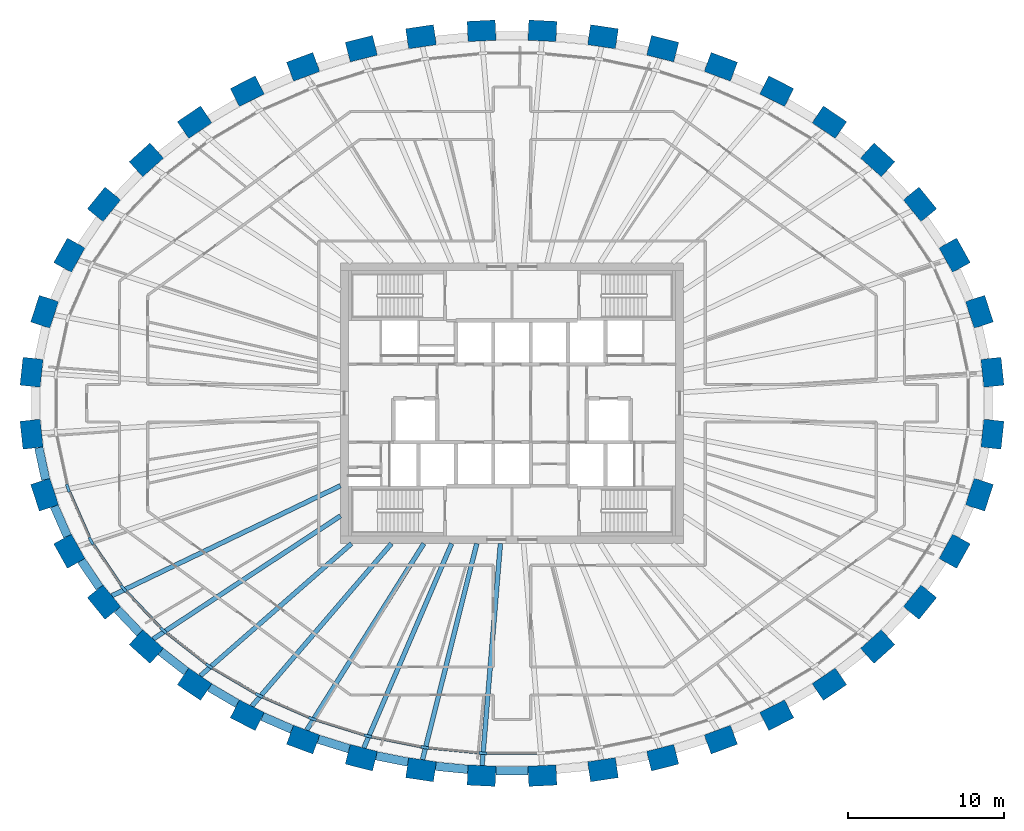
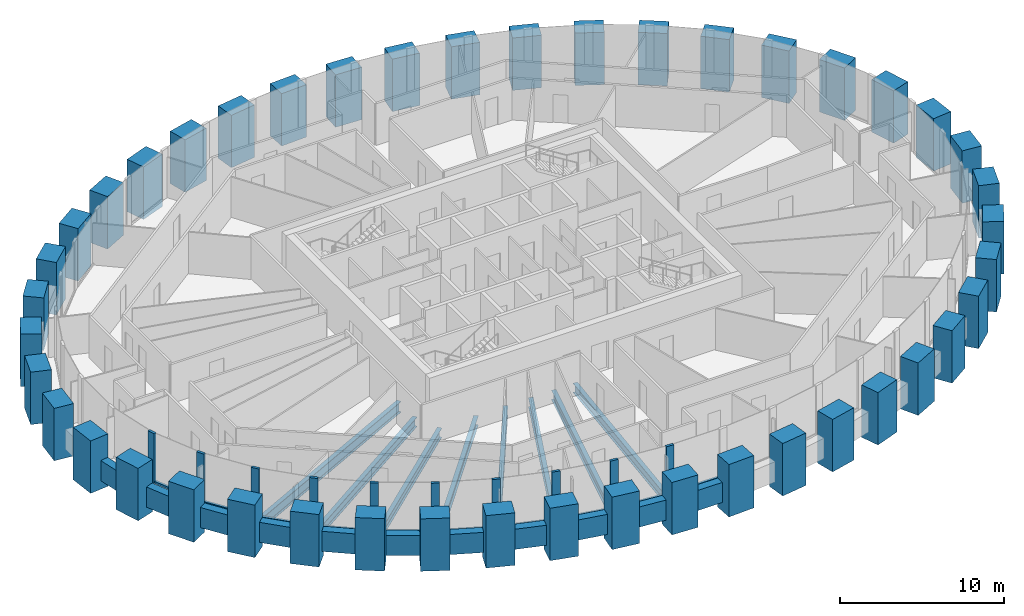
# One storey, part 1 of 12: 44 columns, 20 members, 19 beams, 1 element without a shape of its own.
"""IFC4 building model written with IfcOpenShell, lengths in metres."""

from ifc_helpers import new_model, si_unit, direction, frame, origin, origin_2d, place, context, subcontext, project, spatial, rectangle, i_section, extrude, source, transform, mapped, material, material_profile, profile_set, type_object, element, aggregate, save


model = new_model("IFC4")

# Units and contexts
model_context = context("Model", 3, precision=1e-05, world=origin(), true_north=direction((0.0, 1.0)))
body_context = subcontext(model_context, "Body", "Model", "MODEL_VIEW")
ifc_project = project(units=[si_unit("LENGTHUNIT", "METRE"), si_unit("AREAUNIT", "SQUARE_METRE"), si_unit("VOLUMEUNIT", "CUBIC_METRE"), si_unit("PLANEANGLEUNIT", "RADIAN"), si_unit("MASSUNIT", "GRAM", prefix="KILO")], contexts=[model_context])

# Site, building, storey
site_placement = place(None, origin())
site = spatial("IfcSite", under=ifc_project, at=site_placement, CompositionType="ELEMENT")
building_placement = place(site_placement, origin())
building = spatial("IfcBuilding", under=site, at=building_placement, Name="Embergate Tower", CompositionType="ELEMENT")
storey_placement = place(building_placement, frame((0.0, 0.0, 301.300048828125)))
storey = spatial("IfcBuildingStorey", under=building, at=storey_placement, Name="L70", CompositionType="ELEMENT", Elevation=301.300048828125)

# Columns
ifc_material_1 = material(Name="Concrete C50", Category="concrete")
ifc_material_profile_1 = material_profile(ifc_material_1, rectangle(XDim=1.300048828125, YDim=1.800048828125, at=origin_2d()), Name="RC 1300x1800")
ifc_profile_set_1 = profile_set([ifc_material_profile_1], Name="Concrete C50")
column_type = type_object("IfcColumnType", Name="Ring column RC 1300x1800 C50", PredefinedType="COLUMN", material=ifc_profile_set_1)
shared_shape_1 = source(origin(), body_context, "Body", "SweptSolid", [
    extrude(rectangle(XDim=1.300048828125, YDim=1.800048828125, at=origin_2d()), origin(), (0.0, 0.0, 1.0), 3.900146484375),
])
for number, where, z_axis, x_axis, name in (
    (1, (30.80908203125, 1.985107421875, -1.400146484375), (0.0, 0.0, 1.0), (0.99428589498, 0.106749983816, 0.0), "COL-L70-00"),
    (2, (29.97412109375, 5.864013671875, -1.400146484375), (0.0, 0.0, 1.0), (0.950754033697, 0.309946394413, 0.0), "COL-L70-01"),
    (3, (28.384033203125, 9.489990234375, -1.400146484375), (0.0, 0.0, 1.0), (0.873500465855, 0.486823311018, 0.0), "COL-L70-02"),
    (4, (26.1640625, 12.7548828125, -1.400146484375), (0.0, 0.0, 1.0), (0.775925311702, 0.630824786022, 0.0), "COL-L70-03"),
    (5, (23.447998046875, 15.60302734375, -1.400146484375), (0.0, 0.0, 1.0), (0.669221393633, 0.743063070206, 0.0), "COL-L70-04"),
    (6, (20.35302734375, 18.01904296875, -1.400146484375), (0.0, 0.0, 1.0), (0.560393279442, 0.828226643109, 0.0), "COL-L70-05"),
    (7, (16.97607421875, 20.0048828125, -1.400146484375), (0.0, 0.0, 1.0), (0.453010512651, 0.891505174089, 0.0), "COL-L70-06"),
    (8, (13.39208984375, 21.572021484375, -1.400146484375), (0.0, 0.0, 1.0), (0.348343015724, 0.93736713373, 0.0), "COL-L70-07"),
    (9, (9.662109375, 22.73388671875, -1.400146484375), (0.0, 0.0, 1.0), (0.24650851817, 0.969140624713, 0.0), "COL-L70-08"),
    (10, (5.833984375, 23.501953125, -1.400146484375), (0.0, 0.0, 1.0), (0.146929011949, 0.989147039346, 0.0), "COL-L70-09"),
    (11, (1.950927734375, 23.883056640625, -1.400146484375), (0.0, 0.0, 1.0), (0.048814904854, 0.998807841912, 0.0), "COL-L70-10"),
    (12, (-1.950927734375, 23.883056640625, -1.400146484375), (0.0, 0.0, 1.0), (-0.048814904854, 0.998807841912, 0.0), "COL-L70-11"),
    (13, (-5.833984375, 23.501953125, -1.400146484375), (0.0, 0.0, 1.0), (-0.146929011949, 0.989147039346, 0.0), "COL-L70-12"),
    (14, (-9.662109375, 22.73388671875, -1.400146484375), (0.0, 0.0, 1.0), (-0.24650851817, 0.969140624713, 0.0), "COL-L70-13"),
    (15, (-13.39208984375, 21.572021484375, -1.400146484375), (0.0, 0.0, 1.0), (-0.348343015724, 0.93736713373, 0.0), "COL-L70-14"),
    (16, (-16.97607421875, 20.0048828125, -1.400146484375), (0.0, 0.0, 1.0), (-0.453010512651, 0.891505174089, 0.0), "COL-L70-15"),
    (17, (-20.35302734375, 18.01904296875, -1.400146484375), (0.0, 0.0, 1.0), (-0.560393279442, 0.828226643109, 0.0), "COL-L70-16"),
    (18, (-23.447998046875, 15.60302734375, -1.400146484375), (0.0, 0.0, 1.0), (-0.669221393633, 0.743063070206, 0.0), "COL-L70-17"),
    (19, (-26.1640625, 12.7548828125, -1.400146484375), (0.0, 0.0, 1.0), (-0.775925311702, 0.630824786022, 0.0), "COL-L70-18"),
    (20, (-28.384033203125, 9.489990234375, -1.400146484375), (0.0, 0.0, 1.0), (-0.873500465855, 0.486823311018, 0.0), "COL-L70-19"),
    (21, (-29.97412109375, 5.864013671875, -1.400146484375), (0.0, 0.0, 1.0), (-0.950754033697, 0.309946394413, 0.0), "COL-L70-20"),
    (22, (-30.80908203125, 1.985107421875, -1.400146484375), (0.0, 0.0, 1.0), (-0.99428589498, 0.106749983816, 0.0), "COL-L70-21"),
    (23, (-30.80908203125, -1.985107421875, -1.400146484375), (0.0, 0.0, 1.0), (-0.99428589498, -0.106749983816, 0.0), "COL-L70-22"),
    (24, (-29.97412109375, -5.864013671875, -1.400146484375), (0.0, 0.0, 1.0), (-0.950754033697, -0.309946394413, 0.0), "COL-L70-23"),
    (25, (-28.384033203125, -9.489990234375, -1.400146484375), (0.0, 0.0, 1.0), (-0.873500465855, -0.486823311018, 0.0), "COL-L70-24"),
    (26, (-26.1640625, -12.7548828125, -1.400146484375), (0.0, 0.0, 1.0), (-0.775925311702, -0.630824786022, 0.0), "COL-L70-25"),
    (27, (-23.447998046875, -15.60302734375, -1.400146484375), (0.0, 0.0, 1.0), (-0.669221393633, -0.743063070206, 0.0), "COL-L70-26"),
    (28, (-20.35302734375, -18.01904296875, -1.400146484375), (0.0, 0.0, 1.0), (-0.560393279442, -0.828226643109, 0.0), "COL-L70-27"),
    (29, (-16.97607421875, -20.0048828125, -1.400146484375), (0.0, 0.0, 1.0), (-0.453010512651, -0.891505174089, 0.0), "COL-L70-28"),
    (30, (-13.39208984375, -21.572021484375, -1.400146484375), (0.0, 0.0, 1.0), (-0.348343015724, -0.93736713373, 0.0), "COL-L70-29"),
    (31, (-9.662109375, -22.73388671875, -1.400146484375), (0.0, 0.0, 1.0), (-0.24650851817, -0.969140624713, 0.0), "COL-L70-30"),
    (32, (-5.833984375, -23.501953125, -1.400146484375), (0.0, 0.0, 1.0), (-0.146929011949, -0.989147039346, 0.0), "COL-L70-31"),
    (33, (-1.950927734375, -23.883056640625, -1.400146484375), (0.0, 0.0, 1.0), (-0.048814904854, -0.998807841912, 0.0), "COL-L70-32"),
    (34, (1.950927734375, -23.883056640625, -1.400146484375), (0.0, 0.0, 1.0), (0.048814904854, -0.998807841912, 0.0), "COL-L70-33"),
    (35, (5.833984375, -23.501953125, -1.400146484375), (0.0, 0.0, 1.0), (0.146929011949, -0.989147039346, 0.0), "COL-L70-34"),
    (36, (9.662109375, -22.73388671875, -1.400146484375), (0.0, 0.0, 1.0), (0.24650851817, -0.969140624713, 0.0), "COL-L70-35"),
    (37, (13.39208984375, -21.572021484375, -1.400146484375), (0.0, 0.0, 1.0), (0.348343015724, -0.93736713373, 0.0), "COL-L70-36"),
    (38, (16.97607421875, -20.0048828125, -1.400146484375), (0.0, 0.0, 1.0), (0.453010512651, -0.891505174089, 0.0), "COL-L70-37"),
    (39, (20.35302734375, -18.01904296875, -1.400146484375), (0.0, 0.0, 1.0), (0.560393279442, -0.828226643109, 0.0), "COL-L70-38"),
    (40, (23.447998046875, -15.60302734375, -1.400146484375), (0.0, 0.0, 1.0), (0.669221393633, -0.743063070206, 0.0), "COL-L70-39"),
    (41, (26.1640625, -12.7548828125, -1.400146484375), (0.0, 0.0, 1.0), (0.775925311702, -0.630824786022, 0.0), "COL-L70-40"),
    (42, (28.384033203125, -9.489990234375, -1.400146484375), (0.0, 0.0, 1.0), (0.873500465855, -0.486823311018, 0.0), "COL-L70-41"),
    (43, (29.97412109375, -5.864013671875, -1.400146484375), (0.0, 0.0, 1.0), (0.950754033697, -0.309946394413, 0.0), "COL-L70-42"),
    (44, (30.80908203125, -1.985107421875, -1.400146484375), (0.0, 0.0, 1.0), (0.99428589498, -0.106749983816, 0.0), "COL-L70-43"),
):
    element("IfcColumn", number, at=place(storey_placement, frame(where, z_axis=z_axis, x_axis=x_axis)), inside=storey, type_object=column_type, Name=name, PredefinedType="COLUMN", context=body_context, shape_type="MappedRepresentation", body=[
        mapped(shared_shape_1, transform((0.0, 0.0, 0.0))),
    ])

# Beams
ifc_material_2 = material(Name="Steel Q355B", Category="steel")
ifc_material_profile_2 = material_profile(ifc_material_2, i_section(OverallWidth=0.300048828125, OverallDepth=0.699951171875, WebThickness=0.012939453125, FlangeThickness=0.02392578125, FilletRadius=0.01806640625, at=origin_2d()), Name="HN 700x300x13x24")
ifc_profile_set_2 = profile_set([ifc_material_profile_2], Name="Steel Q355 grade B")
beam_type_1 = type_object("IfcBeamType", Name="Radial girder HN 700x300x13x24", PredefinedType="BEAM", material=ifc_profile_set_2)
shared_shape_2 = source(origin(), body_context, "Body", "SweptSolid", [
    extrude(i_section(OverallWidth=0.300048828125, OverallDepth=0.699951171875, WebThickness=0.012939453125, FlangeThickness=0.02392578125, FilletRadius=0.01806640625, at=origin_2d()), origin(), (0.0, 0.0, 1.0), 13.742431640625),
])
beam_1_placement = place(storey_placement, frame((-16.681884765625, -19.426025390625, -0.550048828125), z_axis=(0.651474345674, 0.758670664339, 0.0), x_axis=(-0.758670664339, 0.651474345674, 0.0)))
element("IfcBeam", 45, at=beam_1_placement, inside=storey, type_object=beam_type_1, Name="GIR-L70-28", PredefinedType="BEAM", context=body_context, shape_type="MappedRepresentation", body=[
    mapped(shared_shape_2, transform((0.0, 0.0, 0.0))),
])
ifc_material_profile_3 = material_profile(ifc_material_1, rectangle(XDim=0.550048828125, YDim=1.5, at=origin_2d()), Name="RC 550x1500")
ifc_profile_set_3 = profile_set([ifc_material_profile_3], Name="Concrete C50")
beam_type_2 = type_object("IfcBeamType", Name="Spandrel beam RC 550x1500 C50", PredefinedType="BEAM", material=ifc_profile_set_3)
shared_shape_3 = source(origin(), body_context, "Body", "SweptSolid", [
    extrude(rectangle(XDim=0.550048828125, YDim=1.5, at=origin_2d()), origin(), (0.0, 0.0, 1.0), 2.10107421875),
])
beam_2_placement = place(storey_placement, frame((-30.346923828125, -2.841064453125, 0.0), z_axis=(0.210330547493, -0.977630329312, 0.0), x_axis=(0.977630329312, 0.210330547493, 0.0)))
element("IfcBeam", 46, at=beam_2_placement, inside=storey, type_object=beam_type_2, Name="SPN-L70-22", PredefinedType="BEAM", context=body_context, shape_type="MappedRepresentation", body=[
    mapped(shared_shape_3, transform((0.0, 0.0, 0.0))),
])
shared_shape_4 = source(origin(), body_context, "Body", "SweptSolid", [
    extrude(rectangle(XDim=0.550048828125, YDim=1.5, at=origin_2d()), origin(), (0.0, 0.0, 1.0), 2.097900390625),
])
beam_3_placement = place(storey_placement, frame((-29.35107421875, -6.60791015625, 0.0), z_axis=(0.401825860592, -0.91571610107, 0.0), x_axis=(0.91571610107, 0.401825860592, 0.0)))
element("IfcBeam", 47, at=beam_3_placement, inside=storey, type_object=beam_type_2, Name="SPN-L70-23", PredefinedType="BEAM", context=body_context, shape_type="MappedRepresentation", body=[
    mapped(shared_shape_4, transform((0.0, 0.0, 0.0))),
])
shared_shape_5 = source(origin(), body_context, "Body", "SweptSolid", [
    extrude(rectangle(XDim=0.550048828125, YDim=1.5, at=origin_2d()), origin(), (0.0, 0.0, 1.0), 2.09033203125),
])
beam_4_placement = place(storey_placement, frame((-27.618896484375, -10.093994140625, 0.0), z_axis=(0.562009695033, -0.827130644269, 0.0), x_axis=(0.827130644269, 0.562009695033, 0.0)))
element("IfcBeam", 48, at=beam_4_placement, inside=storey, type_object=beam_type_2, Name="SPN-L70-24", PredefinedType="BEAM", context=body_context, shape_type="MappedRepresentation", body=[
    mapped(shared_shape_5, transform((0.0, 0.0, 0.0))),
])
shared_shape_6 = source(origin(), body_context, "Body", "SweptSolid", [
    extrude(rectangle(XDim=0.550048828125, YDim=1.5, at=origin_2d()), origin(), (0.0, 0.0, 1.0), 2.08447265625),
])
beam_5_placement = place(storey_placement, frame((-25.31298828125, -13.222900390625, 0.0), z_axis=(0.690339235394, -0.72348582576, 0.0), x_axis=(0.72348582576, 0.690339235394, 0.0)))
element("IfcBeam", 49, at=beam_5_placement, inside=storey, type_object=beam_type_2, Name="SPN-L70-25", PredefinedType="BEAM", context=body_context, shape_type="MappedRepresentation", body=[
    mapped(shared_shape_6, transform((0.0, 0.0, 0.0))),
])
shared_shape_7 = source(origin(), body_context, "Body", "SweptSolid", [
    extrude(rectangle(XDim=0.550048828125, YDim=1.5, at=origin_2d()), origin(), (0.0, 0.0, 1.0), 2.0791015625),
])
beam_6_placement = place(storey_placement, frame((-22.527099609375, -15.925048828125, 0.0), z_axis=(0.788383845435, -0.615183641084, 0.0), x_axis=(0.615183641084, 0.788383845435, 0.0)))
element("IfcBeam", 50, at=beam_6_placement, inside=storey, type_object=beam_type_2, Name="SPN-L70-26", PredefinedType="BEAM", context=body_context, shape_type="MappedRepresentation", body=[
    mapped(shared_shape_7, transform((0.0, 0.0, 0.0))),
])
shared_shape_8 = source(origin(), body_context, "Body", "SweptSolid", [
    extrude(rectangle(XDim=0.550048828125, YDim=1.5, at=origin_2d()), origin(), (0.0, 0.0, 1.0), 2.074462890625),
])
beam_7_placement = place(storey_placement, frame((-19.39892578125, -18.216064453125, 0.0), z_axis=(0.861864620017, -0.507138419726, 0.0), x_axis=(0.507138419726, 0.861864620017, 0.0)))
element("IfcBeam", 51, at=beam_7_placement, inside=storey, type_object=beam_type_2, Name="SPN-L70-27", PredefinedType="BEAM", context=body_context, shape_type="MappedRepresentation", body=[
    mapped(shared_shape_8, transform((0.0, 0.0, 0.0))),
])
shared_shape_9 = source(origin(), body_context, "Body", "SweptSolid", [
    extrude(rectangle(XDim=0.550048828125, YDim=1.5, at=origin_2d()), origin(), (0.0, 0.0, 1.0), 2.073486328125),
])
beam_8_placement = place(storey_placement, frame((-16.008056640625, -20.0859375, 0.0), z_axis=(0.91637608024, -0.400318472673, 0.0), x_axis=(0.400318472673, 0.91637608024, 0.0)))
element("IfcBeam", 52, at=beam_8_placement, inside=storey, type_object=beam_type_2, Name="SPN-L70-28", PredefinedType="BEAM", context=body_context, shape_type="MappedRepresentation", body=[
    mapped(shared_shape_9, transform((0.0, 0.0, 0.0))),
])
shared_shape_10 = source(origin(), body_context, "Body", "SweptSolid", [
    extrude(rectangle(XDim=0.550048828125, YDim=1.5, at=origin_2d()), origin(), (0.0, 0.0, 1.0), 2.07080078125),
])
beam_9_placement = place(storey_placement, frame((-12.422119140625, -21.544921875, 0.0), z_axis=(0.954735561173, -0.297455892917, 0.0), x_axis=(0.297455892917, 0.954735561173, 0.0)))
element("IfcBeam", 53, at=beam_9_placement, inside=storey, type_object=beam_type_2, Name="SPN-L70-29", PredefinedType="BEAM", context=body_context, shape_type="MappedRepresentation", body=[
    mapped(shared_shape_10, transform((0.0, 0.0, 0.0))),
])
shared_shape_11 = source(origin(), body_context, "Body", "SweptSolid", [
    extrude(rectangle(XDim=0.550048828125, YDim=1.5, at=origin_2d()), origin(), (0.0, 0.0, 1.0), 2.070556640625),
])
beam_10_placement = place(storey_placement, frame((-8.700927734375, -22.60595703125, 0.0), z_axis=(0.980398860457, -0.197023030165, 0.0), x_axis=(0.197023030165, 0.980398860457, 0.0)))
element("IfcBeam", 54, at=beam_10_placement, inside=storey, type_object=beam_type_2, Name="SPN-L70-30", PredefinedType="BEAM", context=body_context, shape_type="MappedRepresentation", body=[
    mapped(shared_shape_11, transform((0.0, 0.0, 0.0))),
])
shared_shape_12 = source(origin(), body_context, "Body", "SweptSolid", [
    extrude(rectangle(XDim=0.550048828125, YDim=1.5, at=origin_2d()), origin(), (0.0, 0.0, 1.0), 2.06884765625),
])
beam_11_placement = place(storey_placement, frame((-4.89111328125, -23.279052734375, 0.0), z_axis=(0.995226952233, -0.097587466149, 0.0), x_axis=(0.097587466149, 0.995226952233, 0.0)))
element("IfcBeam", 55, at=beam_11_placement, inside=storey, type_object=beam_type_2, Name="SPN-L70-31", PredefinedType="BEAM", context=body_context, shape_type="MappedRepresentation", body=[
    mapped(shared_shape_12, transform((0.0, 0.0, 0.0))),
])
shared_shape_13 = source(origin(), body_context, "Body", "SweptSolid", [
    extrude(rectangle(XDim=0.550048828125, YDim=1.5, at=origin_2d()), origin(), (0.0, 0.0, 1.0), 2.06982421875),
])
beam_12_placement = place(storey_placement, frame((-1.034912109375, -23.569091796875, 0.0), z_axis=(1.0, 0.0, 0.0), x_axis=(0.0, 1.0, 0.0)))
element("IfcBeam", 56, at=beam_12_placement, inside=storey, type_object=beam_type_2, Name="SPN-L70-32", PredefinedType="BEAM", context=body_context, shape_type="MappedRepresentation", body=[
    mapped(shared_shape_13, transform((0.0, 0.0, 0.0))),
])
ifc_material_profile_4 = material_profile(ifc_material_2, i_section(OverallWidth=0.300048828125, OverallDepth=0.800048828125, WebThickness=0.013916015625, FlangeThickness=0.02587890625, FilletRadius=0.028076171875, at=origin_2d()), Name="HN 800x300x14x26")
ifc_profile_set_4 = profile_set([ifc_material_profile_4], Name="Steel Q355 grade B")
beam_type_3 = type_object("IfcBeamType", Name="Radial girder HN 800x300x14x26", PredefinedType="BEAM", material=ifc_profile_set_4)
shared_shape_14 = source(origin(), body_context, "Body", "SweptSolid", [
    extrude(i_section(OverallWidth=0.300048828125, OverallDepth=0.800048828125, WebThickness=0.013916015625, FlangeThickness=0.02587890625, FilletRadius=0.028076171875, at=origin_2d()), origin(), (0.0, 0.0, 1.0), 16.268310546875),
])
beam_13_placement = place(storey_placement, frame((-25.659912109375, -12.344970703125, -0.60009765625), z_axis=(0.901133717561, 0.433541258791, 0.0), x_axis=(-0.433541258791, 0.901133717561, 0.0)))
element("IfcBeam", 57, at=beam_13_placement, inside=storey, type_object=beam_type_3, Name="GIR-L70-25", PredefinedType="BEAM", context=body_context, shape_type="MappedRepresentation", body=[
    mapped(shared_shape_14, transform((0.0, 0.0, 0.0))),
])
shared_shape_15 = source(origin(), body_context, "Body", "SweptSolid", [
    extrude(i_section(OverallWidth=0.300048828125, OverallDepth=0.699951171875, WebThickness=0.012939453125, FlangeThickness=0.02392578125, FilletRadius=0.01806640625, at=origin_2d()), origin(), (0.0, 0.0, 1.0), 14.3740234375),
])
beam_14_placement = place(storey_placement, frame((-23.012939453125, -15.1201171875, -0.550048828125), z_axis=(0.835742226811, 0.549121963069, 0.0), x_axis=(-0.549121963069, 0.835742226811, 0.0)))
element("IfcBeam", 58, at=beam_14_placement, inside=storey, type_object=beam_type_1, Name="GIR-L70-26", PredefinedType="BEAM", context=body_context, shape_type="MappedRepresentation", body=[
    mapped(shared_shape_15, transform((0.0, 0.0, 0.0))),
])
shared_shape_16 = source(origin(), body_context, "Body", "SweptSolid", [
    extrude(i_section(OverallWidth=0.300048828125, OverallDepth=0.699951171875, WebThickness=0.012939453125, FlangeThickness=0.02392578125, FilletRadius=0.01806640625, at=origin_2d()), origin(), (0.0, 0.0, 1.0), 12.88330078125),
])
beam_15_placement = place(storey_placement, frame((-19.989013671875, -17.48095703125, -0.550048828125), z_axis=(0.752760969036, 0.658293949157, 0.0), x_axis=(-0.658293949157, 0.752760969036, 0.0)))
element("IfcBeam", 59, at=beam_15_placement, inside=storey, type_object=beam_type_1, Name="GIR-L70-27", PredefinedType="BEAM", context=body_context, shape_type="MappedRepresentation", body=[
    mapped(shared_shape_16, transform((0.0, 0.0, 0.0))),
])
shared_shape_17 = source(origin(), body_context, "Body", "SweptSolid", [
    extrude(i_section(OverallWidth=0.300048828125, OverallDepth=0.699951171875, WebThickness=0.012939453125, FlangeThickness=0.02392578125, FilletRadius=0.01806640625, at=origin_2d()), origin(), (0.0, 0.0, 1.0), 14.126953125),
])
beam_16_placement = place(storey_placement, frame((-13.166015625, -20.962890625, -0.550048828125), z_axis=(0.531886600535, 0.846815590416, 0.0), x_axis=(-0.846815590416, 0.531886600535, 0.0)))
element("IfcBeam", 60, at=beam_16_placement, inside=storey, type_object=beam_type_1, Name="GIR-L70-29", PredefinedType="BEAM", context=body_context, shape_type="MappedRepresentation", body=[
    mapped(shared_shape_17, transform((0.0, 0.0, 0.0))),
])
shared_shape_18 = source(origin(), body_context, "Body", "SweptSolid", [
    extrude(i_section(OverallWidth=0.300048828125, OverallDepth=0.699951171875, WebThickness=0.012939453125, FlangeThickness=0.02392578125, FilletRadius=0.01806640625, at=origin_2d()), origin(), (0.0, 0.0, 1.0), 14.263427734375),
])
beam_17_placement = place(storey_placement, frame((-9.501953125, -22.10400390625, -0.550048828125), z_axis=(0.394929229866, 0.918711545262, 0.0), x_axis=(-0.918711545262, 0.394929229866, 0.0)))
element("IfcBeam", 61, at=beam_17_placement, inside=storey, type_object=beam_type_1, Name="GIR-L70-30", PredefinedType="BEAM", context=body_context, shape_type="MappedRepresentation", body=[
    mapped(shared_shape_18, transform((0.0, 0.0, 0.0))),
])
shared_shape_19 = source(origin(), body_context, "Body", "SweptSolid", [
    extrude(i_section(OverallWidth=0.300048828125, OverallDepth=0.699951171875, WebThickness=0.012939453125, FlangeThickness=0.02392578125, FilletRadius=0.01806640625, at=origin_2d()), origin(), (0.0, 0.0, 1.0), 14.288818359375),
])
beam_18_placement = place(storey_placement, frame((-5.738037109375, -22.85888671875, -0.550048828125), z_axis=(0.243476248961, 0.969906859545, 0.0), x_axis=(-0.969906859545, 0.243476248961, 0.0)))
element("IfcBeam", 62, at=beam_18_placement, inside=storey, type_object=beam_type_1, Name="GIR-L70-31", PredefinedType="BEAM", context=body_context, shape_type="MappedRepresentation", body=[
    mapped(shared_shape_19, transform((0.0, 0.0, 0.0))),
])
shared_shape_20 = source(origin(), body_context, "Body", "SweptSolid", [
    extrude(i_section(OverallWidth=0.300048828125, OverallDepth=0.699951171875, WebThickness=0.012939453125, FlangeThickness=0.02392578125, FilletRadius=0.01806640625, at=origin_2d()), origin(), (0.0, 0.0, 1.0), 14.282470703125),
])
beam_19_placement = place(storey_placement, frame((-1.9189453125, -23.23388671875, -0.550048828125), z_axis=(0.082340957712, 0.996604217673, 0.0), x_axis=(-0.996604217673, 0.082340957712, 0.0)))
element("IfcBeam", 63, at=beam_19_placement, inside=storey, type_object=beam_type_1, Name="GIR-L70-32", PredefinedType="BEAM", context=body_context, shape_type="MappedRepresentation", body=[
    mapped(shared_shape_20, transform((0.0, 0.0, 0.0))),
])

# Curtain wall, members
ifc_material_3 = material(Name="Aluminium and glass", Category="aluminium")
curtain_wall_type = type_object("IfcCurtainWallType", Name="Recessed office glazing", PredefinedType="NOTDEFINED", material=ifc_material_3)
curtain_wall_placement = place(storey_placement, origin())
curtain_wall = element("IfcCurtainWall", 64, at=curtain_wall_placement, inside=storey, type_object=curtain_wall_type, Name="Recessed office glazing ring", ObjectType="RECESSED OFFICE GLAZING", PredefinedType="USERDEFINED")
ifc_material_4 = material(Name="Aluminium, thermally broken", Category="aluminium")
ifc_material_profile_5 = material_profile(ifc_material_4, rectangle(XDim=0.179931640625, YDim=0.52001953125, at=origin_2d()), Name="AL 520x180")
ifc_profile_set_5 = profile_set([ifc_material_profile_5], Name="Aluminium, thermally broken")
member_type_1 = type_object("IfcMemberType", Name="Office mullion", PredefinedType="MULLION", material=ifc_profile_set_5)
shared_shape_21 = source(origin(), body_context, "Body", "SweptSolid", [
    extrude(rectangle(XDim=0.179931640625, YDim=0.52001953125, at=origin_2d()), origin(), (0.0, 0.0, 1.0), 3.699951171875),
])
member_1_placement = place(storey_placement, frame((-28.47705078125, -5.44384765625, 0.0), z_axis=(0.0, 0.0, 1.0), x_axis=(0.951492965233, 0.307670500881, 0.0)))
member_1 = element("IfcMember", 65, at=member_1_placement, type_object=member_type_1, Name="CW mullion 24", PredefinedType="MULLION", context=body_context, shape_type="MappedRepresentation", body=[
    mapped(shared_shape_21, transform((0.0, 0.0, 0.0))),
])
member_2_placement = place(storey_placement, frame((-26.994140625, -8.824951171875, 0.0), z_axis=(0.0, 0.0, 1.0), x_axis=(0.87499344622, 0.484134763338, 0.0)))
member_2 = element("IfcMember", 66, at=member_2_placement, type_object=member_type_1, Name="CW mullion 25", PredefinedType="MULLION", context=body_context, shape_type="MappedRepresentation", body=[
    mapped(shared_shape_21, transform((0.0, 0.0, 0.0))),
])
member_3_placement = place(storey_placement, frame((-24.913330078125, -11.884765625, 0.0), z_axis=(0.0, 0.0, 1.0), x_axis=(0.777863789852, 0.628432911643, 0.0)))
member_3 = element("IfcMember", 67, at=member_3_placement, type_object=member_type_1, Name="CW mullion 26", PredefinedType="MULLION", context=body_context, shape_type="MappedRepresentation", body=[
    mapped(shared_shape_21, transform((0.0, 0.0, 0.0))),
])
member_4_placement = place(storey_placement, frame((-22.353759765625, -14.56884765625, 0.0), z_axis=(0.0, 0.0, 1.0), x_axis=(0.671220065284, 0.741258135847, 0.0)))
member_4 = element("IfcMember", 68, at=member_4_placement, type_object=member_type_1, Name="CW mullion 27", PredefinedType="MULLION", context=body_context, shape_type="MappedRepresentation", body=[
    mapped(shared_shape_21, transform((0.0, 0.0, 0.0))),
])
member_5_placement = place(storey_placement, frame((-19.42431640625, -16.855224609375, 0.0), z_axis=(0.0, 0.0, 1.0), x_axis=(0.56221328843, 0.826992272221, 0.0)))
member_5 = element("IfcMember", 69, at=member_5_placement, type_object=member_type_1, Name="CW mullion 28", PredefinedType="MULLION", context=body_context, shape_type="MappedRepresentation", body=[
    mapped(shared_shape_21, transform((0.0, 0.0, 0.0))),
])
member_6_placement = place(storey_placement, frame((-16.2158203125, -18.741455078125, 0.0), z_axis=(0.0, 0.0, 1.0), x_axis=(0.454508271251, 0.890742516872, 0.0)))
member_6 = element("IfcMember", 70, at=member_6_placement, type_object=member_type_1, Name="CW mullion 29", PredefinedType="MULLION", context=body_context, shape_type="MappedRepresentation", body=[
    mapped(shared_shape_21, transform((0.0, 0.0, 0.0))),
])
member_7_placement = place(storey_placement, frame((-12.801513671875, -20.234619140625, 0.0), z_axis=(0.0, 0.0, 1.0), x_axis=(0.349501047589, 0.936935973124, 0.0)))
member_7 = element("IfcMember", 71, at=member_7_placement, type_object=member_type_1, Name="CW mullion 30", PredefinedType="MULLION", context=body_context, shape_type="MappedRepresentation", body=[
    mapped(shared_shape_21, transform((0.0, 0.0, 0.0))),
])
member_8_placement = place(storey_placement, frame((-9.240478515625, -21.343505859375, 0.0), z_axis=(0.0, 0.0, 1.0), x_axis=(0.24731188137, 0.968935928394, 0.0)))
member_8 = element("IfcMember", 72, at=member_8_placement, type_object=member_type_1, Name="CW mullion 31", PredefinedType="MULLION", context=body_context, shape_type="MappedRepresentation", body=[
    mapped(shared_shape_21, transform((0.0, 0.0, 0.0))),
])
member_9_placement = place(storey_placement, frame((-5.581787109375, -22.0771484375, 0.0), z_axis=(0.0, 0.0, 1.0), x_axis=(0.147412382818, 0.989075118174, 0.0)))
member_9 = element("IfcMember", 73, at=member_9_placement, type_object=member_type_1, Name="CW mullion 32", PredefinedType="MULLION", context=body_context, shape_type="MappedRepresentation", body=[
    mapped(shared_shape_21, transform((0.0, 0.0, 0.0))),
])
member_10_placement = place(storey_placement, frame((-1.86669921875, -22.4423828125, 0.0), z_axis=(0.0, 0.0, 1.0), x_axis=(0.048971796621, 0.998800161762, 0.0)))
member_10 = element("IfcMember", 74, at=member_10_placement, type_object=member_type_1, Name="CW mullion 33", PredefinedType="MULLION", context=body_context, shape_type="MappedRepresentation", body=[
    mapped(shared_shape_21, transform((0.0, 0.0, 0.0))),
])
ifc_material_profile_6 = material_profile(ifc_material_4, rectangle(XDim=0.179931640625, YDim=0.14990234375, at=origin_2d()), Name="AL 150x180")
ifc_profile_set_6 = profile_set([ifc_material_profile_6], Name="Aluminium, thermally broken")
member_type_2 = type_object("IfcMemberType", Name="Office sill transom", PredefinedType="USERDEFINED", material=ifc_profile_set_6)
shared_shape_22 = source(origin(), body_context, "Body", "SweptSolid", [
    extrude(rectangle(XDim=0.179931640625, YDim=0.14990234375, at=origin_2d()), origin(), (0.0, 0.0, 1.0), 3.172119140625),
])
member_11_placement = place(storey_placement, frame((-28.37255859375, -5.681884765625, 0.074951171875), z_axis=(0.401606005278, -0.915812544424, 0.0), x_axis=(0.915812544424, 0.401606005278, 0.0)))
member_11 = element("IfcMember", 75, at=member_11_placement, type_object=member_type_2, Name="CW transom 24.1", ObjectType="TRANSOM", PredefinedType="USERDEFINED", context=body_context, shape_type="MappedRepresentation", body=[
    mapped(shared_shape_22, transform((0.0, 0.0, 0.0))),
])
shared_shape_23 = source(origin(), body_context, "Body", "SweptSolid", [
    extrude(rectangle(XDim=0.179931640625, YDim=0.14990234375, at=origin_2d()), origin(), (0.0, 0.0, 1.0), 3.180419921875),
])
member_12_placement = place(storey_placement, frame((-26.847900390625, -9.039794921875, 0.074951171875), z_axis=(0.562276427382, -0.826949345009, 0.0), x_axis=(0.826949345009, 0.562276427382, 0.0)))
member_12 = element("IfcMember", 76, at=member_12_placement, type_object=member_type_2, Name="CW transom 25.1", ObjectType="TRANSOM", PredefinedType="USERDEFINED", context=body_context, shape_type="MappedRepresentation", body=[
    mapped(shared_shape_23, transform((0.0, 0.0, 0.0))),
])
shared_shape_24 = source(origin(), body_context, "Body", "SweptSolid", [
    extrude(rectangle(XDim=0.179931640625, YDim=0.14990234375, at=origin_2d()), origin(), (0.0, 0.0, 1.0), 3.188720703125),
])
member_13_placement = place(storey_placement, frame((-24.73388671875, -12.072998046875, 0.074951171875), z_axis=(0.690140615527, -0.723675293761, 0.0), x_axis=(0.723675293761, 0.690140615527, 0.0)))
member_13 = element("IfcMember", 77, at=member_13_placement, type_object=member_type_2, Name="CW transom 26.1", ObjectType="TRANSOM", PredefinedType="USERDEFINED", context=body_context, shape_type="MappedRepresentation", body=[
    mapped(shared_shape_24, transform((0.0, 0.0, 0.0))),
])
shared_shape_25 = source(origin(), body_context, "Body", "SweptSolid", [
    extrude(rectangle(XDim=0.179931640625, YDim=0.14990234375, at=origin_2d()), origin(), (0.0, 0.0, 1.0), 3.196044921875),
])
member_14_placement = place(storey_placement, frame((-22.148681640625, -14.728759765625, 0.074951171875), z_axis=(0.788302228684, -0.615288222098, 0.0), x_axis=(0.615288222098, 0.788302228684, 0.0)))
member_14 = element("IfcMember", 78, at=member_14_placement, type_object=member_type_2, Name="CW transom 27.1", ObjectType="TRANSOM", PredefinedType="USERDEFINED", context=body_context, shape_type="MappedRepresentation", body=[
    mapped(shared_shape_25, transform((0.0, 0.0, 0.0))),
])
shared_shape_26 = source(origin(), body_context, "Body", "SweptSolid", [
    extrude(rectangle(XDim=0.179931640625, YDim=0.14990234375, at=origin_2d()), origin(), (0.0, 0.0, 1.0), 3.201904296875),
])
member_15_placement = place(storey_placement, frame((-19.2001953125, -16.98681640625, 0.074951171875), z_axis=(0.862053756613, -0.506816851248, 0.0), x_axis=(0.506816851248, 0.862053756613, 0.0)))
member_15 = element("IfcMember", 79, at=member_15_placement, type_object=member_type_2, Name="CW transom 28.1", ObjectType="TRANSOM", PredefinedType="USERDEFINED", context=body_context, shape_type="MappedRepresentation", body=[
    mapped(shared_shape_26, transform((0.0, 0.0, 0.0))),
])
shared_shape_27 = source(origin(), body_context, "Body", "SweptSolid", [
    extrude(rectangle(XDim=0.179931640625, YDim=0.14990234375, at=origin_2d()), origin(), (0.0, 0.0, 1.0), 3.206298828125),
])
member_16_placement = place(storey_placement, frame((-15.9775390625, -18.845703125, 0.074951171875), z_axis=(0.916225475643, -0.400663047688, 0.0), x_axis=(0.400663047688, 0.916225475643, 0.0)))
member_16 = element("IfcMember", 80, at=member_16_placement, type_object=member_type_2, Name="CW transom 29.1", ObjectType="TRANSOM", PredefinedType="USERDEFINED", context=body_context, shape_type="MappedRepresentation", body=[
    mapped(shared_shape_27, transform((0.0, 0.0, 0.0))),
])
shared_shape_28 = source(origin(), body_context, "Body", "SweptSolid", [
    extrude(rectangle(XDim=0.179931640625, YDim=0.14990234375, at=origin_2d()), origin(), (0.0, 0.0, 1.0), 3.20947265625),
])
member_17_placement = place(storey_placement, frame((-12.55322265625, -20.311767578125, 0.074951171875), z_axis=(0.954765144534, -0.297360923431, 0.0), x_axis=(0.297360923431, 0.954765144534, 0.0)))
member_17 = element("IfcMember", 81, at=member_17_placement, type_object=member_type_2, Name="CW transom 30.1", ObjectType="TRANSOM", PredefinedType="USERDEFINED", context=body_context, shape_type="MappedRepresentation", body=[
    mapped(shared_shape_28, transform((0.0, 0.0, 0.0))),
])
shared_shape_29 = source(origin(), body_context, "Body", "SweptSolid", [
    extrude(rectangle(XDim=0.179931640625, YDim=0.14990234375, at=origin_2d()), origin(), (0.0, 0.0, 1.0), 3.211669921875),
])
member_18_placement = place(storey_placement, frame((-8.985595703125, -21.39453125, 0.074951171875), z_axis=(0.980472347912, -0.196656998298, 0.0), x_axis=(0.196656998298, 0.980472347912, 0.0)))
member_18 = element("IfcMember", 82, at=member_18_placement, type_object=member_type_2, Name="CW transom 31.1", ObjectType="TRANSOM", PredefinedType="USERDEFINED", context=body_context, shape_type="MappedRepresentation", body=[
    mapped(shared_shape_29, transform((0.0, 0.0, 0.0))),
])
shared_shape_30 = source(origin(), body_context, "Body", "SweptSolid", [
    extrude(rectangle(XDim=0.179931640625, YDim=0.14990234375, at=origin_2d()), origin(), (0.0, 0.0, 1.0), 3.212890625),
])
member_19_placement = place(storey_placement, frame((-5.322998046875, -22.102783203125, 0.074951171875), z_axis=(0.995206508067, -0.097795737641, 0.0), x_axis=(0.097795737641, 0.995206508067, 0.0)))
member_19 = element("IfcMember", 83, at=member_19_placement, type_object=member_type_2, Name="CW transom 32.1", ObjectType="TRANSOM", PredefinedType="USERDEFINED", context=body_context, shape_type="MappedRepresentation", body=[
    mapped(shared_shape_30, transform((0.0, 0.0, 0.0))),
])
shared_shape_31 = source(origin(), body_context, "Body", "SweptSolid", [
    extrude(rectangle(XDim=0.179931640625, YDim=0.14990234375, at=origin_2d()), origin(), (0.0, 0.0, 1.0), 3.21337890625),
])
member_20_placement = place(storey_placement, frame((-1.606689453125, -22.4423828125, 0.074951171875), z_axis=(1.0, 0.0, 0.0), x_axis=(0.0, 1.0, 0.0)))
member_20 = element("IfcMember", 84, at=member_20_placement, type_object=member_type_2, Name="CW transom 33.1", ObjectType="TRANSOM", PredefinedType="USERDEFINED", context=body_context, shape_type="MappedRepresentation", body=[
    mapped(shared_shape_31, transform((0.0, 0.0, 0.0))),
])
aggregate(curtain_wall, [member_1, member_2, member_3, member_4, member_5, member_6, member_7, member_8, member_9, member_10, member_11, member_12, member_13, member_14, member_15, member_16, member_17, member_18, member_19, member_20])

save(model, "model.ifc")
